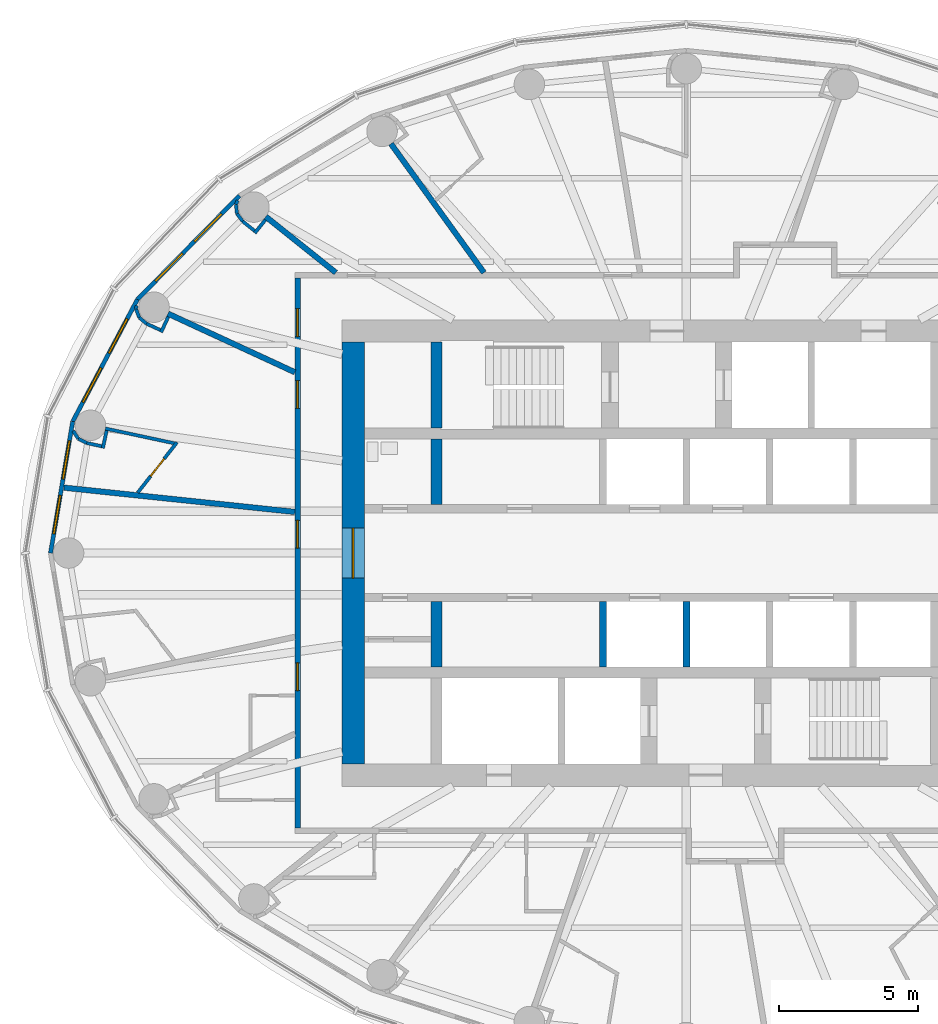
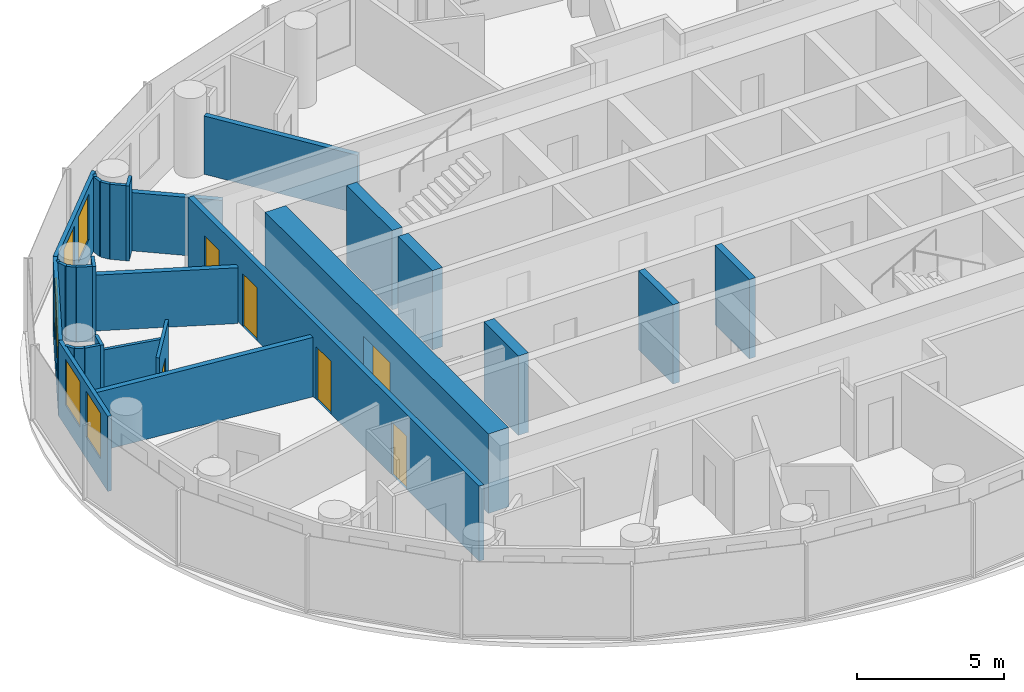
# One storey, part 8 of 14: 30 walls, 6 doors, 6 windows, 12 openings.
"""IFC4 building model written with IfcOpenShell, lengths in metres."""

from ifc_helpers import new_model, si_unit, direction, frame, frame_2d, origin, place, context, subcontext, project, spatial, rectangle, extrude, material, layer, layer_set, type_object, element, fill, save


model = new_model("IFC4")

# Units and contexts
model_context = context("Model", 3, precision=1e-05, world=origin(), true_north=direction((0.0, 1.0)))
body_context = subcontext(model_context, "Body", "Model", "MODEL_VIEW")
ifc_project = project(units=[si_unit("LENGTHUNIT", "METRE"), si_unit("AREAUNIT", "SQUARE_METRE"), si_unit("VOLUMEUNIT", "CUBIC_METRE"), si_unit("PLANEANGLEUNIT", "RADIAN"), si_unit("MASSUNIT", "GRAM", prefix="KILO")], contexts=[model_context])

# Site, building, storey
site_placement = place(None, origin())
site = spatial("IfcSite", under=ifc_project, at=site_placement, CompositionType="ELEMENT")
building_placement = place(site_placement, origin())
building = spatial("IfcBuilding", under=site, at=building_placement, Name="Hankou Lantern Tower", CompositionType="ELEMENT")
storey_placement = place(building_placement, frame((0.0, 0.0, 176.39990234375)))
storey = spatial("IfcBuildingStorey", under=building, at=storey_placement, Name="L47", CompositionType="ELEMENT", Elevation=176.39990234375)

# Wall, opening, door
ifc_material_1 = material(Name="Concrete C60", Category="concrete")
ifc_layer_1 = layer(ifc_material_1, 0.800048828125)
ifc_layer_set_1 = layer_set([ifc_layer_1], Name="Concrete C60")
wall_type_1 = type_object("IfcWallType", Name="CW2 CORE WALL 800", PredefinedType="SHEAR", material=ifc_layer_set_1)
wall_1_placement = place(storey_placement, frame((-12.0, 7.60009765625, 0.0), z_axis=(0.0, 0.0, 1.0), x_axis=(0.0, -1.0, 0.0)))
wall_1 = element("IfcWall", 1, at=wall_1_placement, inside=storey, type_object=wall_type_1, Name="Core wall west L47", PredefinedType="SHEAR", context=body_context, shape_type="SweptSolid", body=[
    extrude(rectangle(XDim=15.2001953125, YDim=0.800048828125, at=frame_2d((7.60009765625, 0.0))), origin(), (0.0, 0.0, 1.0), 3.300048828125),
])
opening_1_placement = place(wall_1_placement, frame((6.699951171875, 0.0, 0.0)))
opening_1 = element("IfcOpeningElement", 2, at=opening_1_placement, cuts=wall_1, Name="Opening D6", PredefinedType="OPENING", context=body_context, shape_type="SweptSolid", body=[
    extrude(rectangle(XDim=1.800048828125, YDim=2.199951171875, at=frame_2d((0.89990234375, 1.10009765625))), frame((0.0, 0.409912109375, 0.0), z_axis=(0.0, -1.0, 0.0), x_axis=(1.0, 0.0, 0.0)), (0.0, 0.0, 1.0), 0.820068359375),
])
ifc_material_2 = material(Name="Steel door leaf", Category="steel")
door_type_1 = type_object("IfcDoorType", Name="D6 LIFT LOBBY DOOR 1800X2200", OperationType="DOUBLE_DOOR_DOUBLE_SWING", PredefinedType="DOOR", material=ifc_material_2)
door_1_placement = place(opening_1_placement, origin())
door_1 = element("IfcDoor", 3, at=door_1_placement, inside=storey, type_object=door_type_1, Name="Lift lobby west door", OperationType="DOUBLE_DOOR_DOUBLE_SWING", OverallHeight=2.199951171875, OverallWidth=1.800048828125, PredefinedType="DOOR", context=body_context, shape_type="SweptSolid", body=[
    extrude(rectangle(XDim=1.800048828125, YDim=2.199951171875, at=frame_2d((0.89990234375, 1.10009765625))), frame((0.0, 0.02490234375, 0.0), z_axis=(0.0, -1.0, 0.0), x_axis=(1.0, 0.0, 0.0)), (0.0, 0.0, 1.0), 0.050048828125),
])
fill(opening_1, door_1)

# Walls
ifc_material_3 = material(Name="Concrete C60", Category="concrete")
ifc_layer_2 = layer(ifc_material_3, 0.39990234375)
ifc_layer_set_2 = layer_set([ifc_layer_2], Name="Concrete C60")
wall_type_2 = type_object("IfcWallType", Name="CW4 CORE CROSS WALL 400", PredefinedType="SHEAR", material=ifc_layer_set_2)
wall_2_placement = place(storey_placement, frame((-9.0, 4.5, 0.0), z_axis=(0.0, 0.0, 1.0), x_axis=(0.0, 1.0, 0.0)))
element("IfcWall", 4, at=wall_2_placement, inside=storey, type_object=wall_type_2, Name="Core strip wall L47", PredefinedType="SHEAR", context=body_context, shape_type="SweptSolid", body=[
    extrude(rectangle(XDim=3.10009765625, YDim=0.39990234375, at=frame_2d((1.550048828125, 0.0))), origin(), (0.0, 0.0, 1.0), 3.300048828125),
])
for number, where, z_axis, x_axis, name in (
    (5, (-9.0, 1.75, 0.0), (0.0, 0.0, 1.0), (0.0, 1.0, 0.0), "Core strip wall L47"),
    (6, (-9.0, -4.10009765625, 0.0), (0.0, 0.0, 1.0), (0.0, 1.0, 0.0), "Core strip wall L47"),
):
    element("IfcWall", number, at=place(storey_placement, frame(where, z_axis=z_axis, x_axis=x_axis)), inside=storey, type_object=wall_type_2, Name=name, PredefinedType="SHEAR", context=body_context, shape_type="SweptSolid", body=[
        extrude(rectangle(XDim=2.35009765625, YDim=0.39990234375, at=frame_2d((1.175048828125, 0.0))), origin(), (0.0, 0.0, 1.0), 3.300048828125),
    ])

# Wall, openings, windows
ifc_material_4 = material(Name="Aluminium spandrel panel on steel studs", Category="steel")
ifc_layer_3 = layer(ifc_material_4, 0.14990234375)
ifc_layer_set_3 = layer_set([ifc_layer_3], Name="Aluminium spandrel panel on steel studs")
wall_type_3 = type_object("IfcWallType", Name="EW1 INNER SKIN WALL 150", PredefinedType="ELEMENTEDWALL", material=ifc_layer_set_3)
wall_3_placement = place(storey_placement, frame((-16.0947265625, 12.875732421875, 0.0), z_axis=(0.0, 0.0, 1.0), x_axis=(-0.700727467776, -0.71342905457, 0.0)))
wall_3 = element("IfcWall", 7, at=wall_3_placement, inside=storey, type_object=wall_type_3, Name="Inner skin R10-R11 L47", PredefinedType="ELEMENTEDWALL", context=body_context, shape_type="SweptSolid", body=[
    extrude(rectangle(XDim=5.247314453125, YDim=0.14990234375, at=frame_2d((2.62353515625, 0.0))), origin(), (0.0, 0.0, 1.0), 3.1201171875),
])
opening_2_placement = place(wall_3_placement, frame((0.923583984375, 0.0, 0.89990234375)))
opening_2 = element("IfcOpeningElement", 8, at=opening_2_placement, cuts=wall_3, Name="Opening W3", PredefinedType="OPENING", context=body_context, shape_type="SweptSolid", body=[
    extrude(rectangle(XDim=1.39990234375, YDim=1.89990234375, at=frame_2d((0.699951171875, 0.949951171875))), frame((0.0, 0.0849609375, 0.0), z_axis=(0.0, -1.0, 0.0), x_axis=(1.0, 0.0, 0.0)), (0.0, 0.0, 1.0), 0.169921875),
])
opening_3_placement = place(wall_3_placement, frame((2.923583984375, 0.0, 0.89990234375)))
opening_3 = element("IfcOpeningElement", 9, at=opening_3_placement, cuts=wall_3, Name="Opening W3", PredefinedType="OPENING", context=body_context, shape_type="SweptSolid", body=[
    extrude(rectangle(XDim=1.39990234375, YDim=1.89990234375, at=frame_2d((0.699951171875, 0.949951171875))), frame((0.0, 0.0849609375, 0.0), z_axis=(0.0, -1.0, 0.0), x_axis=(1.0, 0.0, 0.0)), (0.0, 0.0, 1.0), 0.169921875),
])
ifc_material_5 = material(Name="Aluminium framed double glazed window", Category="aluminium")
window_type = type_object("IfcWindowType", Name="W3 GUEST ROOM WINDOW 1400X1900", PartitioningType="DOUBLE_PANEL_VERTICAL", PredefinedType="WINDOW", material=ifc_material_5)
window_1_placement = place(opening_2_placement, origin())
window_1 = element("IfcWindow", 10, at=window_1_placement, inside=storey, type_object=window_type, Name="Window R10.1 L47", OverallHeight=1.89990234375, OverallWidth=1.39990234375, PartitioningType="SINGLE_PANEL", PredefinedType="WINDOW", context=body_context, shape_type="SweptSolid", body=[
    extrude(rectangle(XDim=1.39990234375, YDim=1.89990234375, at=frame_2d((0.699951171875, 0.949951171875))), frame((0.0, 0.030029296875, 0.0), z_axis=(0.0, -1.0, 0.0), x_axis=(1.0, 0.0, 0.0)), (0.0, 0.0, 1.0), 0.06005859375),
])
fill(opening_2, window_1)
window_2_placement = place(opening_3_placement, origin())
window_2 = element("IfcWindow", 11, at=window_2_placement, inside=storey, type_object=window_type, Name="Window R10.2 L47", OverallHeight=1.89990234375, OverallWidth=1.39990234375, PartitioningType="SINGLE_PANEL", PredefinedType="WINDOW", context=body_context, shape_type="SweptSolid", body=[
    extrude(rectangle(XDim=1.39990234375, YDim=1.89990234375, at=frame_2d((0.699951171875, 0.949951171875))), frame((0.0, 0.030029296875, 0.0), z_axis=(0.0, -1.0, 0.0), x_axis=(1.0, 0.0, 0.0)), (0.0, 0.0, 1.0), 0.06005859375),
])
fill(opening_3, window_2)

wall_4_placement = place(storey_placement, frame((-19.771728515625, 9.132080078125, 0.0), z_axis=(0.0, 0.0, 1.0), x_axis=(-0.468428906714, -0.883501193748, 0.0)))
wall_4 = element("IfcWall", 12, at=wall_4_placement, inside=storey, type_object=wall_type_3, Name="Inner skin R11-R12 L47", PredefinedType="ELEMENTEDWALL", context=body_context, shape_type="SweptSolid", body=[
    extrude(rectangle(XDim=4.9736328125, YDim=0.14990234375, at=frame_2d((2.48681640625, 0.0))), origin(), (0.0, 0.0, 1.0), 3.1201171875),
])
opening_4_placement = place(wall_4_placement, frame((0.786865234375, 0.0, 0.89990234375)))
opening_4 = element("IfcOpeningElement", 13, at=opening_4_placement, cuts=wall_4, Name="Opening W3", PredefinedType="OPENING", context=body_context, shape_type="SweptSolid", body=[
    extrude(rectangle(XDim=1.39990234375, YDim=1.89990234375, at=frame_2d((0.699951171875, 0.949951171875))), frame((0.0, 0.0849609375, 0.0), z_axis=(0.0, -1.0, 0.0), x_axis=(1.0, 0.0, 0.0)), (0.0, 0.0, 1.0), 0.169921875),
])
opening_5_placement = place(wall_4_placement, frame((2.786865234375, 0.0, 0.89990234375)))
opening_5 = element("IfcOpeningElement", 14, at=opening_5_placement, cuts=wall_4, Name="Opening W3", PredefinedType="OPENING", context=body_context, shape_type="SweptSolid", body=[
    extrude(rectangle(XDim=1.39990234375, YDim=1.89990234375, at=frame_2d((0.699951171875, 0.949951171875))), frame((0.0, 0.0849609375, 0.0), z_axis=(0.0, -1.0, 0.0), x_axis=(1.0, 0.0, 0.0)), (0.0, 0.0, 1.0), 0.169921875),
])
window_3_placement = place(opening_4_placement, origin())
window_3 = element("IfcWindow", 15, at=window_3_placement, inside=storey, type_object=window_type, Name="Window R11.1 L47", OverallHeight=1.89990234375, OverallWidth=1.39990234375, PartitioningType="SINGLE_PANEL", PredefinedType="WINDOW", context=body_context, shape_type="SweptSolid", body=[
    extrude(rectangle(XDim=1.39990234375, YDim=1.89990234375, at=frame_2d((0.699951171875, 0.949951171875))), frame((0.0, 0.030029296875, 0.0), z_axis=(0.0, -1.0, 0.0), x_axis=(1.0, 0.0, 0.0)), (0.0, 0.0, 1.0), 0.06005859375),
])
fill(opening_4, window_3)
window_4_placement = place(opening_5_placement, origin())
window_4 = element("IfcWindow", 16, at=window_4_placement, inside=storey, type_object=window_type, Name="Window R11.2 L47", OverallHeight=1.89990234375, OverallWidth=1.39990234375, PartitioningType="SINGLE_PANEL", PredefinedType="WINDOW", context=body_context, shape_type="SweptSolid", body=[
    extrude(rectangle(XDim=1.39990234375, YDim=1.89990234375, at=frame_2d((0.699951171875, 0.949951171875))), frame((0.0, 0.030029296875, 0.0), z_axis=(0.0, -1.0, 0.0), x_axis=(1.0, 0.0, 0.0)), (0.0, 0.0, 1.0), 0.06005859375),
])
fill(opening_5, window_4)

wall_5_placement = place(storey_placement, frame((-22.1015625, 4.73779296875, 0.0), z_axis=(0.0, 0.0, 1.0), x_axis=(-0.166162111254, -0.986098449843, 0.0)))
wall_5 = element("IfcWall", 17, at=wall_5_placement, inside=storey, type_object=wall_type_3, Name="Inner skin R12-R13 L47", PredefinedType="ELEMENTEDWALL", context=body_context, shape_type="SweptSolid", body=[
    extrude(rectangle(XDim=4.8046875, YDim=0.14990234375, at=frame_2d((2.40234375, 0.0))), origin(), (0.0, 0.0, 1.0), 3.1201171875),
])
opening_6_placement = place(wall_5_placement, frame((0.7021484375, 0.0, 0.89990234375)))
opening_6 = element("IfcOpeningElement", 18, at=opening_6_placement, cuts=wall_5, Name="Opening W3", PredefinedType="OPENING", context=body_context, shape_type="SweptSolid", body=[
    extrude(rectangle(XDim=1.39990234375, YDim=1.89990234375, at=frame_2d((0.699951171875, 0.949951171875))), frame((0.0, 0.0849609375, 0.0), z_axis=(0.0, -1.0, 0.0), x_axis=(1.0, 0.0, 0.0)), (0.0, 0.0, 1.0), 0.169921875),
])
opening_7_placement = place(wall_5_placement, frame((2.7021484375, 0.0, 0.89990234375)))
opening_7 = element("IfcOpeningElement", 19, at=opening_7_placement, cuts=wall_5, Name="Opening W3", PredefinedType="OPENING", context=body_context, shape_type="SweptSolid", body=[
    extrude(rectangle(XDim=1.39990234375, YDim=1.89990234375, at=frame_2d((0.699951171875, 0.949951171875))), frame((0.0, 0.0849609375, 0.0), z_axis=(0.0, -1.0, 0.0), x_axis=(1.0, 0.0, 0.0)), (0.0, 0.0, 1.0), 0.169921875),
])
window_5_placement = place(opening_6_placement, origin())
window_5 = element("IfcWindow", 20, at=window_5_placement, inside=storey, type_object=window_type, Name="Window R12.1 L47", OverallHeight=1.89990234375, OverallWidth=1.39990234375, PartitioningType="SINGLE_PANEL", PredefinedType="WINDOW", context=body_context, shape_type="SweptSolid", body=[
    extrude(rectangle(XDim=1.39990234375, YDim=1.89990234375, at=frame_2d((0.699951171875, 0.949951171875))), frame((0.0, 0.030029296875, 0.0), z_axis=(0.0, -1.0, 0.0), x_axis=(1.0, 0.0, 0.0)), (0.0, 0.0, 1.0), 0.06005859375),
])
fill(opening_6, window_5)
window_6_placement = place(opening_7_placement, origin())
window_6 = element("IfcWindow", 21, at=window_6_placement, inside=storey, type_object=window_type, Name="Window R12.2 L47", OverallHeight=1.89990234375, OverallWidth=1.39990234375, PartitioningType="SINGLE_PANEL", PredefinedType="WINDOW", context=body_context, shape_type="SweptSolid", body=[
    extrude(rectangle(XDim=1.39990234375, YDim=1.89990234375, at=frame_2d((0.699951171875, 0.949951171875))), frame((0.0, 0.030029296875, 0.0), z_axis=(0.0, -1.0, 0.0), x_axis=(1.0, 0.0, 0.0)), (0.0, 0.0, 1.0), 0.06005859375),
])
fill(opening_7, window_6)

# Wall
ifc_material_6 = material(Name="Masonry lightweight concrete block", Category="masonry")
ifc_layer_4 = layer(ifc_material_6, 0.199951171875)
ifc_layer_set_4 = layer_set([ifc_layer_4], Name="Masonry lightweight concrete block")
wall_type_4 = type_object("IfcWallType", Name="IW1 GUEST ROOM PARTY WALL 200", PredefinedType="PARTITIONING", material=ifc_layer_set_4)
wall_6_placement = place(storey_placement, frame((-14.10009765625, 1.4814453125, 0.0), z_axis=(0.0, 0.0, 1.0), x_axis=(-0.994524794819, 0.104500873159, 0.0)))
element("IfcWall", 22, at=wall_6_placement, inside=storey, type_object=wall_type_4, Name="Party wall R12-R13", PredefinedType="PARTITIONING", context=body_context, shape_type="SweptSolid", body=[
    extrude(rectangle(XDim=8.361572265625, YDim=0.199951171875, at=frame_2d((4.1806640625, 0.0))), origin(), (0.0, 0.0, 1.0), 2.47021484375),
])

# Wall, openings, doors
ifc_material_7 = material(Name="Masonry lightweight concrete block", Category="masonry")
ifc_layer_5 = layer(ifc_material_7, 0.199951171875)
ifc_layer_set_5 = layer_set([ifc_layer_5], Name="Masonry lightweight concrete block")
wall_type_5 = type_object("IfcWallType", Name="IW2 CORRIDOR WALL 200", PredefinedType="PARTITIONING", material=ifc_layer_set_5)
wall_7_placement = place(storey_placement, frame((-14.0, 9.89990234375, 0.0), z_axis=(0.0, 0.0, 1.0), x_axis=(0.0, -1.0, 0.0)))
wall_7 = element("IfcWall", 23, at=wall_7_placement, inside=storey, type_object=wall_type_5, Name="Corridor wall west", PredefinedType="PARTITIONING", context=body_context, shape_type="SweptSolid", body=[
    extrude(rectangle(XDim=19.7998046875, YDim=0.199951171875, at=frame_2d((9.89990234375, 0.0))), origin(), (0.0, 0.0, 1.0), 3.1201171875),
])
opening_8_placement = place(wall_7_placement, frame((13.8525390625, 0.0, 0.0)))
opening_8 = element("IfcOpeningElement", 24, at=opening_8_placement, cuts=wall_7, Name="Opening D2", PredefinedType="OPENING", context=body_context, shape_type="SweptSolid", body=[
    extrude(rectangle(XDim=1.0, YDim=2.199951171875, at=frame_2d((0.5, 1.10009765625))), frame((0.0, 0.10986328125, 0.0), z_axis=(0.0, -1.0, 0.0), x_axis=(1.0, 0.0, 0.0)), (0.0, 0.0, 1.0), 0.219970703125),
])
opening_9_placement = place(wall_7_placement, frame((1.10009765625, 0.0, 0.0)))
opening_9 = element("IfcOpeningElement", 25, at=opening_9_placement, cuts=wall_7, Name="Opening D28", PredefinedType="OPENING", context=body_context, shape_type="SweptSolid", body=[
    extrude(rectangle(XDim=1.0, YDim=2.199951171875, at=frame_2d((0.5, 1.10009765625))), frame((0.0, 0.10986328125, 0.0), z_axis=(0.0, -1.0, 0.0), x_axis=(1.0, 0.0, 0.0)), (0.0, 0.0, 1.0), 0.219970703125),
])
opening_10_placement = place(wall_7_placement, frame((3.6875, 0.0, 0.0)))
opening_10 = element("IfcOpeningElement", 26, at=opening_10_placement, cuts=wall_7, Name="Opening D1", PredefinedType="OPENING", context=body_context, shape_type="SweptSolid", body=[
    extrude(rectangle(XDim=1.0, YDim=2.199951171875, at=frame_2d((0.5, 1.10009765625))), frame((0.0, 0.10986328125, 0.0), z_axis=(0.0, -1.0, 0.0), x_axis=(1.0, 0.0, 0.0)), (0.0, 0.0, 1.0), 0.219970703125),
])
opening_11_placement = place(wall_7_placement, frame((8.718505859375, 0.0, 0.0)))
opening_11 = element("IfcOpeningElement", 27, at=opening_11_placement, cuts=wall_7, Name="Opening D1", PredefinedType="OPENING", context=body_context, shape_type="SweptSolid", body=[
    extrude(rectangle(XDim=1.0, YDim=2.199951171875, at=frame_2d((0.5, 1.10009765625))), frame((0.0, 0.10986328125, 0.0), z_axis=(0.0, -1.0, 0.0), x_axis=(1.0, 0.0, 0.0)), (0.0, 0.0, 1.0), 0.219970703125),
])
ifc_material_8 = material(Name="Steel door leaf", Category="steel")
door_type_2 = type_object("IfcDoorType", Name="D1 GUEST ROOM DOOR 1000X2200", OperationType="SINGLE_SWING_LEFT", PredefinedType="DOOR", material=ifc_material_8)
door_2_placement = place(opening_10_placement, origin())
door_2 = element("IfcDoor", 28, at=door_2_placement, inside=storey, type_object=door_type_2, Name="Guest room door 4713", OperationType="SINGLE_SWING_LEFT", OverallHeight=2.199951171875, OverallWidth=1.0, PredefinedType="DOOR", context=body_context, shape_type="SweptSolid", body=[
    extrude(rectangle(XDim=1.0, YDim=2.199951171875, at=frame_2d((0.5, 1.10009765625))), frame((0.0, 0.02490234375, 0.0), z_axis=(0.0, -1.0, 0.0), x_axis=(1.0, 0.0, 0.0)), (0.0, 0.0, 1.0), 0.050048828125),
])
fill(opening_10, door_2)
door_3_placement = place(opening_11_placement, origin())
door_3 = element("IfcDoor", 29, at=door_3_placement, inside=storey, type_object=door_type_2, Name="Guest room door 4714", OperationType="SINGLE_SWING_LEFT", OverallHeight=2.199951171875, OverallWidth=1.0, PredefinedType="DOOR", context=body_context, shape_type="SweptSolid", body=[
    extrude(rectangle(XDim=1.0, YDim=2.199951171875, at=frame_2d((0.5, 1.10009765625))), frame((0.0, 0.02490234375, 0.0), z_axis=(0.0, -1.0, 0.0), x_axis=(1.0, 0.0, 0.0)), (0.0, 0.0, 1.0), 0.050048828125),
])
fill(opening_11, door_3)
ifc_material_9 = material(Name="Steel door leaf", Category="steel")
door_type_3 = type_object("IfcDoorType", Name="D2 SUITE DOOR 1000X2200", OperationType="SINGLE_SWING_LEFT", PredefinedType="DOOR", material=ifc_material_9)
door_4_placement = place(opening_8_placement, origin())
door_4 = element("IfcDoor", 30, at=door_4_placement, inside=storey, type_object=door_type_3, Name="Suite door 4701C", OperationType="SINGLE_SWING_RIGHT", OverallHeight=2.199951171875, OverallWidth=1.0, PredefinedType="DOOR", context=body_context, shape_type="SweptSolid", body=[
    extrude(rectangle(XDim=1.0, YDim=2.199951171875, at=frame_2d((0.5, 1.10009765625))), frame((0.0, 0.02490234375, 0.0), z_axis=(0.0, -1.0, 0.0), x_axis=(1.0, 0.0, 0.0)), (0.0, 0.0, 1.0), 0.050048828125),
])
fill(opening_8, door_4)
ifc_material_10 = material(Name="Steel door leaf", Category="steel")
door_type_4 = type_object("IfcDoorType", Name="D28 SERVICE DOOR 1000X2200", OperationType="SINGLE_SWING_LEFT", PredefinedType="DOOR", material=ifc_material_10)
door_5_placement = place(opening_9_placement, origin())
door_5 = element("IfcDoor", 31, at=door_5_placement, inside=storey, type_object=door_type_4, Name="Service door 4712", OperationType="SINGLE_SWING_LEFT", OverallHeight=2.199951171875, OverallWidth=1.0, PredefinedType="DOOR", context=body_context, shape_type="SweptSolid", body=[
    extrude(rectangle(XDim=1.0, YDim=2.199951171875, at=frame_2d((0.5, 1.10009765625))), frame((0.0, 0.02490234375, 0.0), z_axis=(0.0, -1.0, 0.0), x_axis=(1.0, 0.0, 0.0)), (0.0, 0.0, 1.0), 0.050048828125),
])
fill(opening_9, door_5)

# Wall, opening, door
ifc_material_11 = material(Name="Masonry lightweight concrete block", Category="masonry")
ifc_layer_6 = layer(ifc_material_11, 0.1201171875)
ifc_layer_set_6 = layer_set([ifc_layer_6], Name="Masonry lightweight concrete block")
wall_type_6 = type_object("IfcWallType", Name="IW3 BATHROOM WALL 120", PredefinedType="PARTITIONING", material=ifc_layer_set_6)
wall_8_placement = place(storey_placement, frame((-19.757568359375, 2.176513671875, 0.0), z_axis=(0.0, 0.0, 1.0), x_axis=(0.614713147302, 0.788750750576, 0.0)))
wall_8 = element("IfcWall", 32, at=wall_8_placement, inside=storey, type_object=wall_type_6, Name="Box wall 4713 1", PredefinedType="PARTITIONING", context=body_context, shape_type="SweptSolid", body=[
    extrude(rectangle(XDim=2.29638671875, YDim=0.1201171875, at=frame_2d((1.148193359375, 0.0))), origin(), (0.0, 0.0, 1.0), 3.1201171875),
])
opening_12_placement = place(wall_8_placement, frame((0.748291015625, 0.0, 0.0)))
opening_12 = element("IfcOpeningElement", 33, at=opening_12_placement, cuts=wall_8, Name="Opening D3", PredefinedType="OPENING", context=body_context, shape_type="SweptSolid", body=[
    extrude(rectangle(XDim=0.800048828125, YDim=2.10009765625, at=frame_2d((0.39990234375, 1.050048828125))), frame((0.0, 0.070068359375, 0.0), z_axis=(0.0, -1.0, 0.0), x_axis=(1.0, 0.0, 0.0)), (0.0, 0.0, 1.0), 0.14013671875),
])
ifc_material_12 = material(Name="Timber door leaf", Category="wood")
door_type_5 = type_object("IfcDoorType", Name="D3 BATHROOM DOOR 800X2100", OperationType="SINGLE_SWING_LEFT", PredefinedType="DOOR", material=ifc_material_12)
door_6_placement = place(opening_12_placement, origin())
door_6 = element("IfcDoor", 34, at=door_6_placement, inside=storey, type_object=door_type_5, Name="En-suite bathroom 4713 door", OperationType="SINGLE_SWING_RIGHT", OverallHeight=2.10009765625, OverallWidth=0.800048828125, PredefinedType="DOOR", context=body_context, shape_type="SweptSolid", body=[
    extrude(rectangle(XDim=0.800048828125, YDim=2.10009765625, at=frame_2d((0.39990234375, 1.050048828125))), frame((0.0, 0.02490234375, 0.0), z_axis=(0.0, -1.0, 0.0), x_axis=(1.0, 0.0, 0.0)), (0.0, 0.0, 1.0), 0.050048828125),
])
fill(opening_12, door_6)

# Walls
wall_9_placement = place(storey_placement, frame((-18.44140625, 3.953125, 0.0), z_axis=(0.0, 0.0, 1.0), x_axis=(-0.977801007461, 0.209535652833, 0.0)))
element("IfcWall", 35, at=wall_9_placement, inside=storey, type_object=wall_type_6, Name="Box wall 4713 2", PredefinedType="PARTITIONING", context=body_context, shape_type="SweptSolid", body=[
    extrude(rectangle(XDim=2.5400390625, YDim=0.1201171875, at=frame_2d((1.27001953125, 0.0))), origin(), (0.0, 0.0, 1.0), 2.420166015625),
])
wall_10_placement = place(storey_placement, frame((-20.87890625, 4.414306640625, 0.0), z_axis=(0.0, 0.0, 1.0), x_axis=(-0.209554644104, -0.977796937577, 0.0)))
element("IfcWall", 36, at=wall_10_placement, inside=storey, type_object=wall_type_6, Name="Column casing 4713 return", PredefinedType="PARTITIONING", context=body_context, shape_type="SweptSolid", body=[
    extrude(rectangle(XDim=0.65234375, YDim=0.1201171875, at=frame_2d((0.326171875, 0.0))), origin(), (0.0, 0.0, 1.0), 3.1201171875),
])
wall_11_placement = place(storey_placement, frame((-21.061767578125, 3.84765625, 0.0), z_axis=(0.0, 0.0, 1.0), x_axis=(-0.977789415726, 0.209589738521, 0.0)))
element("IfcWall", 37, at=wall_11_placement, inside=storey, type_object=wall_type_6, Name="Column casing 4713", PredefinedType="PARTITIONING", context=body_context, shape_type="SweptSolid", body=[
    extrude(rectangle(XDim=0.5498046875, YDim=0.1201171875, at=frame_2d((0.27490234375, 0.0))), origin(), (0.0, 0.0, 1.0), 3.1201171875),
])
wall_12_placement = place(storey_placement, frame((-21.599365234375, 3.962890625, 0.0), z_axis=(0.0, 0.0, 1.0), x_axis=(-0.890193602875, 0.455582428766, 0.0)))
element("IfcWall", 38, at=wall_12_placement, inside=storey, type_object=wall_type_6, Name="Column casing 4713", PredefinedType="PARTITIONING", context=body_context, shape_type="SweptSolid", body=[
    extrude(rectangle(XDim=0.337646484375, YDim=0.1201171875, at=frame_2d((0.1689453125, 0.0))), origin(), (0.0, 0.0, 1.0), 3.1201171875),
])
wall_13_placement = place(storey_placement, frame((-21.89990234375, 4.11669921875, 0.0), z_axis=(0.0, 0.0, 1.0), x_axis=(-0.543582688681, 0.839355622228, 0.0)))
element("IfcWall", 39, at=wall_13_placement, inside=storey, type_object=wall_type_6, Name="Column casing 4713", PredefinedType="PARTITIONING", context=body_context, shape_type="SweptSolid", body=[
    extrude(rectangle(XDim=0.3359375, YDim=0.1201171875, at=frame_2d((0.16796875, 0.0))), origin(), (0.0, 0.0, 1.0), 3.1201171875),
])
ifc_material_13 = material(Name="Masonry lightweight concrete block", Category="masonry")
ifc_layer_7 = layer(ifc_material_13, 0.1201171875)
ifc_layer_set_7 = layer_set([ifc_layer_7], Name="Masonry lightweight concrete block")
wall_type_7 = type_object("IfcWallType", Name="IW4 PARTITION 120", PredefinedType="PARTITIONING", material=ifc_layer_set_7)
wall_14_placement = place(storey_placement, frame((-15.162353515625, 12.001708984375, 0.0), z_axis=(0.0, 0.0, 1.0), x_axis=(-0.624597762427, -0.780946627607, 0.0)))
element("IfcWall", 40, at=wall_14_placement, inside=storey, type_object=wall_type_7, Name="Column casing R10 return", PredefinedType="PARTITIONING", context=body_context, shape_type="SweptSolid", body=[
    extrude(rectangle(XDim=0.612060546875, YDim=0.1201171875, at=frame_2d((0.30615234375, 0.0))), origin(), (0.0, 0.0, 1.0), 3.1201171875),
])
wall_15_placement = place(storey_placement, frame((-15.55419921875, 11.60791015625, 0.0), z_axis=(0.0, 0.0, 1.0), x_axis=(-0.780695577787, 0.624911525597, 0.0)))
element("IfcWall", 41, at=wall_15_placement, inside=storey, type_object=wall_type_7, Name="Column casing R10", PredefinedType="PARTITIONING", context=body_context, shape_type="SweptSolid", body=[
    extrude(rectangle(XDim=0.550048828125, YDim=0.1201171875, at=frame_2d((0.27490234375, 0.0))), origin(), (0.0, 0.0, 1.0), 3.1201171875),
])
wall_16_placement = place(storey_placement, frame((-15.983642578125, 11.95166015625, 0.0), z_axis=(0.0, 0.0, 1.0), x_axis=(-0.592335221171, 0.805691619517, 0.0)))
element("IfcWall", 42, at=wall_16_placement, inside=storey, type_object=wall_type_7, Name="Column casing R10", PredefinedType="PARTITIONING", context=body_context, shape_type="SweptSolid", body=[
    extrude(rectangle(XDim=0.337646484375, YDim=0.1201171875, at=frame_2d((0.1689453125, 0.0))), origin(), (0.0, 0.0, 1.0), 3.1201171875),
])
wall_17_placement = place(storey_placement, frame((-16.18359375, 12.2236328125, 0.0), z_axis=(0.0, 0.0, 1.0), x_axis=(-0.110669692975, 0.993857242795, 0.0)))
element("IfcWall", 43, at=wall_17_placement, inside=storey, type_object=wall_type_7, Name="Column casing R10", PredefinedType="PARTITIONING", context=body_context, shape_type="SweptSolid", body=[
    extrude(rectangle(XDim=0.33740234375, YDim=0.1201171875, at=frame_2d((0.168701171875, 0.0))), origin(), (0.0, 0.0, 1.0), 3.1201171875),
])
wall_18_placement = place(storey_placement, frame((-16.220947265625, 12.55908203125, 0.0), z_axis=(0.0, 0.0, 1.0), x_axis=(0.401064416249, 0.916049853457, 0.0)))
element("IfcWall", 44, at=wall_18_placement, inside=storey, type_object=wall_type_7, Name="Column casing R10", PredefinedType="PARTITIONING", context=body_context, shape_type="SweptSolid", body=[
    extrude(rectangle(XDim=0.156494140625, YDim=0.1201171875, at=frame_2d((0.078125, 0.0))), origin(), (0.0, 0.0, 1.0), 3.1201171875),
])
wall_19_placement = place(storey_placement, frame((-18.660400390625, 8.5087890625, 0.0), z_axis=(0.0, 0.0, 1.0), x_axis=(-0.419083463716, -0.907947713494, 0.0)))
element("IfcWall", 45, at=wall_19_placement, inside=storey, type_object=wall_type_7, Name="Column casing R11 return", PredefinedType="PARTITIONING", context=body_context, shape_type="SweptSolid", body=[
    extrude(rectangle(XDim=0.6123046875, YDim=0.1201171875, at=frame_2d((0.30615234375, 0.0))), origin(), (0.0, 0.0, 1.0), 3.1201171875),
])
wall_20_placement = place(storey_placement, frame((-18.9462890625, 8.032470703125, 0.0), z_axis=(0.0, 0.0, 1.0), x_axis=(-0.907842467956, 0.419311403822, 0.0)))
element("IfcWall", 46, at=wall_20_placement, inside=storey, type_object=wall_type_7, Name="Column casing R11", PredefinedType="PARTITIONING", context=body_context, shape_type="SweptSolid", body=[
    extrude(rectangle(XDim=0.55029296875, YDim=0.1201171875, at=frame_2d((0.275146484375, 0.0))), origin(), (0.0, 0.0, 1.0), 3.1201171875),
])
wall_21_placement = place(storey_placement, frame((-19.44580078125, 8.26318359375, 0.0), z_axis=(0.0, 0.0, 1.0), x_axis=(-0.768221279597, 0.640184399664, 0.0)))
element("IfcWall", 47, at=wall_21_placement, inside=storey, type_object=wall_type_7, Name="Column casing R11", PredefinedType="PARTITIONING", context=body_context, shape_type="SweptSolid", body=[
    extrude(rectangle(XDim=0.33740234375, YDim=0.1201171875, at=frame_2d((0.168701171875, 0.0))), origin(), (0.0, 0.0, 1.0), 3.1201171875),
])
wall_22_placement = place(storey_placement, frame((-19.705078125, 8.479248046875, 0.0), z_axis=(0.0, 0.0, 1.0), x_axis=(-0.345571344575, 0.938392479621, 0.0)))
element("IfcWall", 48, at=wall_22_placement, inside=storey, type_object=wall_type_7, Name="Column casing R11", PredefinedType="PARTITIONING", context=body_context, shape_type="SweptSolid", body=[
    extrude(rectangle(XDim=0.337646484375, YDim=0.1201171875, at=frame_2d((0.1689453125, 0.0))), origin(), (0.0, 0.0, 1.0), 3.1201171875),
])
wall_23_placement = place(storey_placement, frame((-19.82177734375, 8.796142578125, 0.0), z_axis=(0.0, 0.0, 1.0), x_axis=(0.169701508781, 0.985495508827, 0.0)))
element("IfcWall", 49, at=wall_23_placement, inside=storey, type_object=wall_type_7, Name="Column casing R11", PredefinedType="PARTITIONING", context=body_context, shape_type="SweptSolid", body=[
    extrude(rectangle(XDim=0.119384765625, YDim=0.1201171875, at=frame_2d((0.0595703125, 0.0))), origin(), (0.0, 0.0, 1.0), 3.1201171875),
])
ifc_material_14 = material(Name="Masonry lightweight concrete block", Category="masonry")
ifc_layer_8 = layer(ifc_material_14, 0.199951171875)
ifc_layer_set_8 = layer_set([ifc_layer_8], Name="Masonry lightweight concrete block")
wall_type_8 = type_object("IfcWallType", Name="IW8 PARTITION 200", PredefinedType="PARTITIONING", material=ifc_layer_set_8)
wall_24_placement = place(storey_placement, frame((-7.2890625, 10.10009765625, 0.0), z_axis=(0.0, 0.0, 1.0), x_axis=(-0.585222595178, 0.810872686735, 0.0)))
element("IfcWall", 50, at=wall_24_placement, inside=storey, type_object=wall_type_8, Name="Partition R09", PredefinedType="PARTITIONING", context=body_context, shape_type="SweptSolid", body=[
    extrude(rectangle(XDim=5.722412109375, YDim=0.199951171875, at=frame_2d((2.861328125, 0.0))), origin(), (0.0, 0.0, 1.0), 2.420166015625),
])
wall_25_placement = place(storey_placement, frame((-12.625, 10.10009765625, 0.0), z_axis=(0.0, 0.0, 1.0), x_axis=(-0.780876185034, 0.624685827954, 0.0)))
element("IfcWall", 51, at=wall_25_placement, inside=storey, type_object=wall_type_8, Name="Partition R10", PredefinedType="PARTITIONING", context=body_context, shape_type="SweptSolid", body=[
    extrude(rectangle(XDim=3.229248046875, YDim=0.199951171875, at=frame_2d((1.61474609375, 0.0))), origin(), (0.0, 0.0, 1.0), 2.420166015625),
])
wall_26_placement = place(storey_placement, frame((-14.10009765625, 6.512451171875, 0.0), z_axis=(0.0, 0.0, 1.0), x_axis=(-0.907823150669, 0.419353224751, 0.0)))
element("IfcWall", 52, at=wall_26_placement, inside=storey, type_object=wall_type_8, Name="Partition R11", PredefinedType="PARTITIONING", context=body_context, shape_type="SweptSolid", body=[
    extrude(rectangle(XDim=5.037109375, YDim=0.199951171875, at=frame_2d((2.5185546875, 0.0))), origin(), (0.0, 0.0, 1.0), 2.320068359375),
])
ifc_material_15 = material(Name="Masonry autoclaved aerated concrete block", Category="masonry")
ifc_layer_9 = layer(ifc_material_15, 0.25)
ifc_layer_set_9 = layer_set([ifc_layer_9], Name="Masonry autoclaved aerated concrete block")
wall_type_9 = type_object("IfcWallType", Name="SW1 SHAFT BLOCK WALL 250", PredefinedType="PARTITIONING", material=ifc_layer_set_9)
for number, where, z_axis, x_axis, name in (
    (53, (-3.0, -4.10009765625, 0.0), (0.0, 0.0, 1.0), (0.0, 1.0, 0.0), "Lift shaft wall L47"),
    (54, (0.0, -4.10009765625, 0.0), (0.0, 0.0, 1.0), (0.0, 1.0, 0.0), "Lift shaft wall L47"),
):
    element("IfcWall", number, at=place(storey_placement, frame(where, z_axis=z_axis, x_axis=x_axis)), inside=storey, type_object=wall_type_9, Name=name, PredefinedType="PARTITIONING", context=body_context, shape_type="SweptSolid", body=[
        extrude(rectangle(XDim=2.35009765625, YDim=0.25, at=frame_2d((1.175048828125, 0.0))), origin(), (0.0, 0.0, 1.0), 3.300048828125),
    ])

save(model, "model.ifc")
